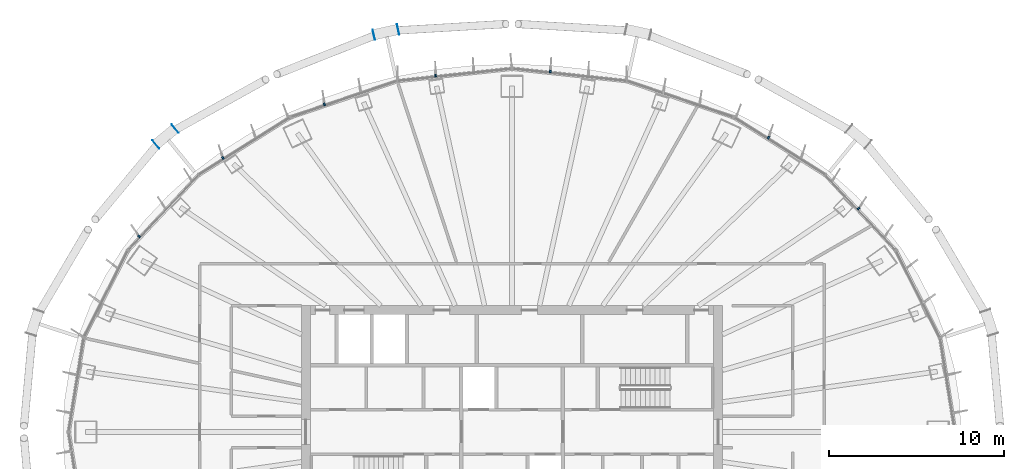
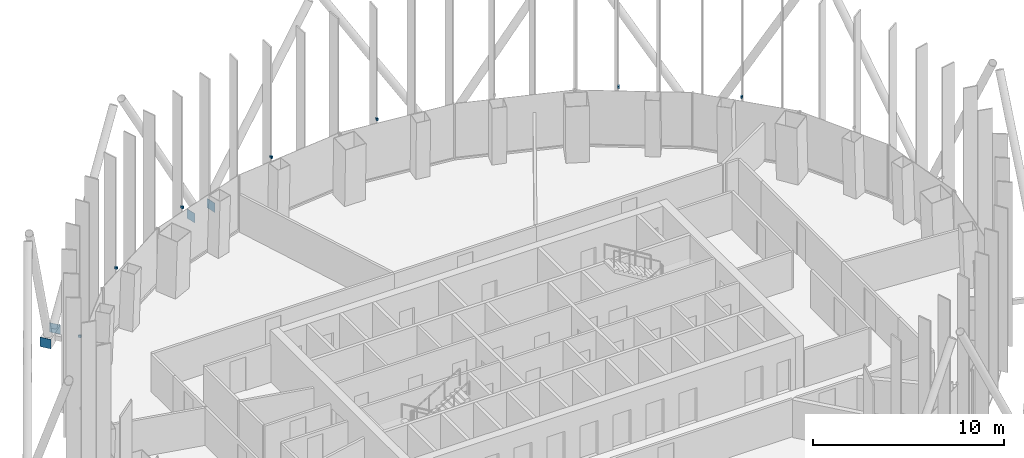
# One storey, part 14 of 19: 11 discrete accessories.
"""IFC4 building model written with IfcOpenShell, lengths in metres."""

from ifc_helpers import new_model, si_unit, direction, frame, origin, origin_2d, place, context, subcontext, project, spatial, rectangle, extrude, material, layer, layer_set, type_object, element, save


model = new_model("IFC4")

# Units and contexts
model_context = context("Model", 3, precision=1e-05, world=origin(), true_north=direction((0.0, 1.0)))
body_context = subcontext(model_context, "Body", "Model", "MODEL_VIEW")
ifc_project = project(units=[si_unit("LENGTHUNIT", "METRE"), si_unit("AREAUNIT", "SQUARE_METRE"), si_unit("VOLUMEUNIT", "CUBIC_METRE"), si_unit("PLANEANGLEUNIT", "RADIAN"), si_unit("MASSUNIT", "GRAM", prefix="KILO")], contexts=[model_context])

# Site, building, storey
site_placement = place(None, origin())
site = spatial("IfcSite", under=ifc_project, at=site_placement, CompositionType="ELEMENT")
building_placement = place(site_placement, origin())
building = spatial("IfcBuilding", under=site, at=building_placement, Name="Siaravel Broadcast Tower", CompositionType="ELEMENT")
storey_placement = place(building_placement, frame((0.0, 0.0, 119.300048828125)))
storey = spatial("IfcBuildingStorey", under=building, at=storey_placement, Name="L28", CompositionType="ELEMENT", Elevation=119.300048828125)

# Discrete accessories
ifc_material_1 = material(Name="Stainless steel 316", Category="steel")
discrete_accessory_type_1 = type_object("IfcDiscreteAccessoryType", Name="Stainless steel fin bracket", PredefinedType="USERDEFINED", material=ifc_material_1)
for number, where, z_axis, x_axis, name in (
    (1, (19.759765625, 12.74169921875, 3.68505859375), (0.0, 0.0, 1.0), (0.729805608, 0.683654718, 0.0), "Fin bracket L28-07"),
    (2, (14.624755859375, 16.7783203125, 3.68505859375), (0.0, 0.0, 1.0), (0.532149452, 0.846650436, 0.0), "Fin bracket L28-10"),
    (3, (2.18359375, 20.553955078125, 3.68505859375), (0.0, 0.0, 1.0), (0.107216783, 0.994235667, 0.0), "Fin bracket L28-16"),
    (4, (-4.35888671875, 20.3193359375, 3.68505859375), (0.0, 0.0, 1.0), (-0.107216783, 0.994235667, 0.0), "Fin bracket L28-19"),
    (5, (-10.6953125, 18.677978515625, 3.68505859375), (0.0, 0.0, 1.0), (-0.321300635, 0.946977245, 0.0), "Fin bracket L28-22"),
    (6, (-16.47705078125, 15.614013671875, 3.68505859375), (0.0, 0.0, 1.0), (-0.532149452, 0.846650436, 0.0), "Fin bracket L28-25"),
    (7, (-21.25537109375, 11.145263671875, 3.68505859375), (0.0, 0.0, 1.0), (-0.729805608, 0.683654718, 0.0), "Fin bracket L28-28"),
):
    element("IfcDiscreteAccessory", number, at=place(storey_placement, frame(where, z_axis=z_axis, x_axis=x_axis)), inside=storey, type_object=discrete_accessory_type_1, Name=name, ObjectType="BRACKET", PredefinedType="USERDEFINED", context=body_context, shape_type="SweptSolid", body=[
        extrude(rectangle(XDim=0.159912109375, YDim=0.10009765625, at=origin_2d()), origin(), (0.0, 0.0, 1.0), 0.139892578125),
    ])
ifc_material_2 = material(Name="Steel S355", Category="steel")
ifc_layer = layer(ifc_material_2, 0.02001953125)
ifc_layer_set = layer_set([ifc_layer], Name="Steel S355")
discrete_accessory_type_2 = type_object("IfcDiscreteAccessoryType", Name="Steel end plate 20 mm", PredefinedType="USERDEFINED", material=ifc_layer_set)
for number, where, z_axis, x_axis, name in (
    (8, (-7.877685546875, 22.646240234375, -0.5), (0.0, 0.0, 1.0), (-0.976750917, -0.214377344, 0.0), "End plate R12 station 21A"),
    (9, (-6.4912109375, 22.95068359375, -0.5), (0.0, 0.0, 1.0), (-0.976750917, -0.214377344, 0.0), "End plate R12 station 21B"),
    (10, (-20.30224609375, 16.39208984375, -0.5), (0.0, 0.0, 1.0), (-0.773604694, -0.633668508, 0.0), "End plate R12 station 27A"),
    (11, (-19.2041015625, 17.291748046875, -0.5), (0.0, 0.0, 1.0), (-0.773604694, -0.633668508, 0.0), "End plate R12 station 27B"),
):
    element("IfcDiscreteAccessory", number, at=place(storey_placement, frame(where, z_axis=z_axis, x_axis=x_axis)), inside=storey, type_object=discrete_accessory_type_2, Name=name, ObjectType="END PLATE", PredefinedType="USERDEFINED", context=body_context, shape_type="SweptSolid", body=[
        extrude(rectangle(XDim=0.02001953125, YDim=0.60009765625, at=origin_2d()), origin(), (0.0, 0.0, 1.0), 0.60009765625),
    ])

save(model, "model.ifc")
